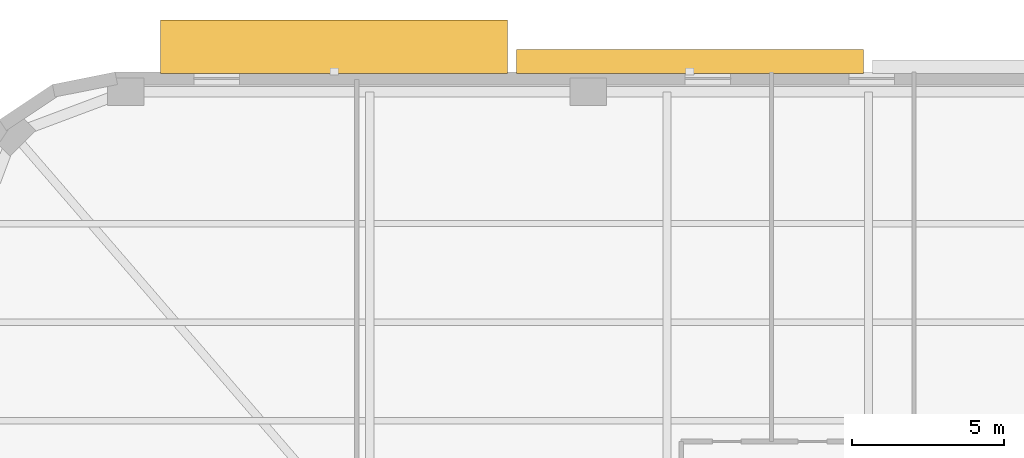
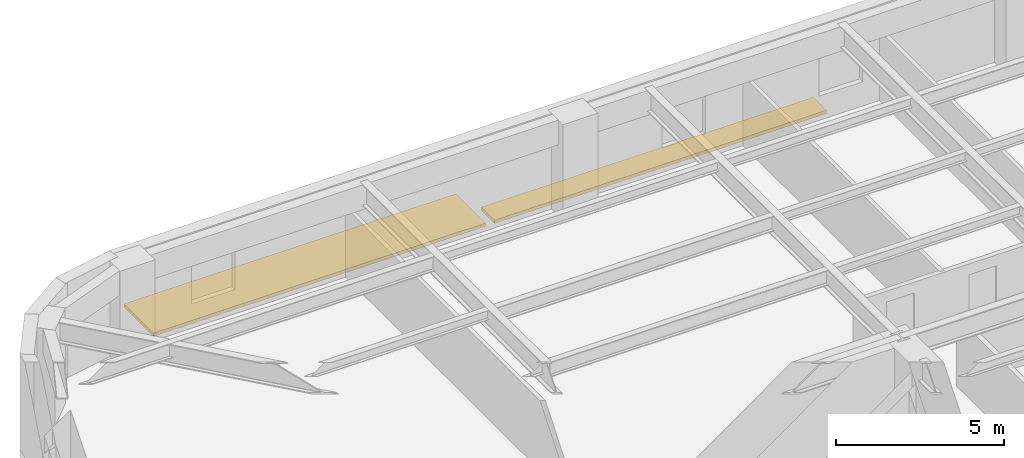
# One storey, part 13 of 15: 2 shading devices.
"""IFC4 building model written with IfcOpenShell, lengths in metres."""

from ifc_helpers import new_model, si_unit, direction, frame, origin, origin_2d, place, context, subcontext, project, spatial, rectangle, extrude, material, type_object, element, save


model = new_model("IFC4")

# Units and contexts
model_context = context("Model", 3, precision=1e-05, world=origin(), true_north=direction((0.0, 1.0)))
body_context = subcontext(model_context, "Body", "Model", "MODEL_VIEW")
ifc_project = project(units=[si_unit("LENGTHUNIT", "METRE"), si_unit("AREAUNIT", "SQUARE_METRE"), si_unit("VOLUMEUNIT", "CUBIC_METRE"), si_unit("PLANEANGLEUNIT", "RADIAN"), si_unit("MASSUNIT", "GRAM", prefix="KILO")], contexts=[model_context])

# Site, building, storey
site_placement = place(None, origin())
site = spatial("IfcSite", under=ifc_project, at=site_placement, CompositionType="ELEMENT")
building_placement = place(site_placement, origin())
building = spatial("IfcBuilding", under=site, at=building_placement, Name="Kolvaren Arena Tower", CompositionType="ELEMENT")
storey_placement = place(building_placement, frame((0.0, 0.0, 68.25)))
storey = spatial("IfcBuildingStorey", under=building, at=storey_placement, Name="L14", CompositionType="ELEMENT", Elevation=68.25)

# Shading devices
ifc_material = material(Name="Architectural precast GFRC and anodised aluminium sunshade", Category="concrete")
shading_device_type_1 = type_object("IfcShadingDeviceType", Name="SHAD-SINE-A", PredefinedType="USERDEFINED", material=ifc_material)
shading_device_1_placement = place(storey_placement, frame((25.110107421875, 49.843505859375, -0.14013671875), z_axis=(0.0, 0.0, 1.0), x_axis=(1.0, 0.0, 0.0)))
element("IfcShadingDevice", 1, at=shading_device_1_placement, inside=storey, type_object=shading_device_type_1, Name="Sinusoidal Slab-Edge Sunshade Louvre (L14)", ObjectType="LOUVRE", PredefinedType="USERDEFINED", context=body_context, shape_type="SweptSolid", body=[
    extrude(rectangle(XDim=11.43994140625, YDim=0.787109375, at=origin_2d()), origin(), (0.0, 0.0, 1.0), 0.1201171875),
])
shading_device_type_2 = type_object("IfcShadingDeviceType", Name="SHAD-SINE-B", PredefinedType="JALOUSIE", material=ifc_material)
shading_device_2_placement = place(storey_placement, frame((13.3701171875, 50.333251953125, -0.14013671875), z_axis=(0.0, 0.0, 1.0), x_axis=(1.0, 0.0, 0.0)))
element("IfcShadingDevice", 2, at=shading_device_2_placement, inside=storey, type_object=shading_device_type_2, Name="Sinusoidal Slab-Edge Sunshade Louvre (L14)", PredefinedType="JALOUSIE", context=body_context, shape_type="SweptSolid", body=[
    extrude(rectangle(XDim=11.43994140625, YDim=1.766357421875, at=origin_2d()), origin(), (0.0, 0.0, 1.0), 0.1201171875),
])

save(model, "model.ifc")
